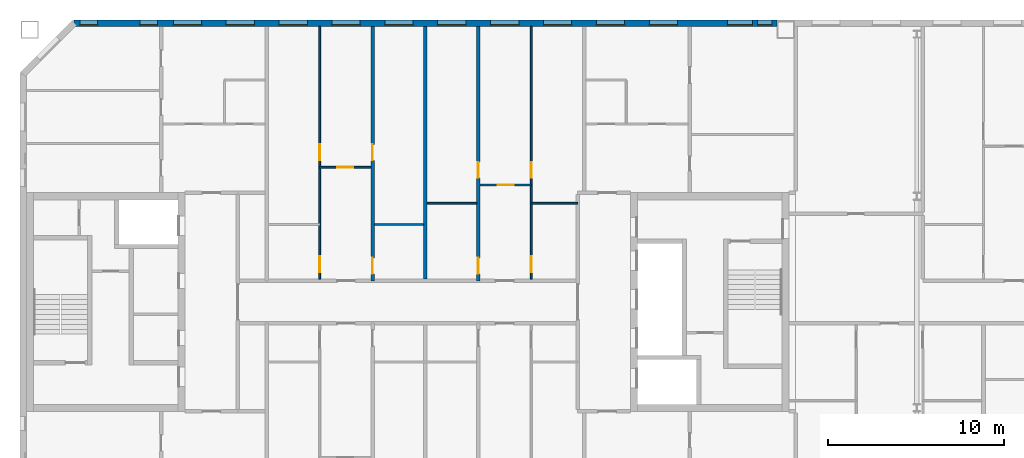
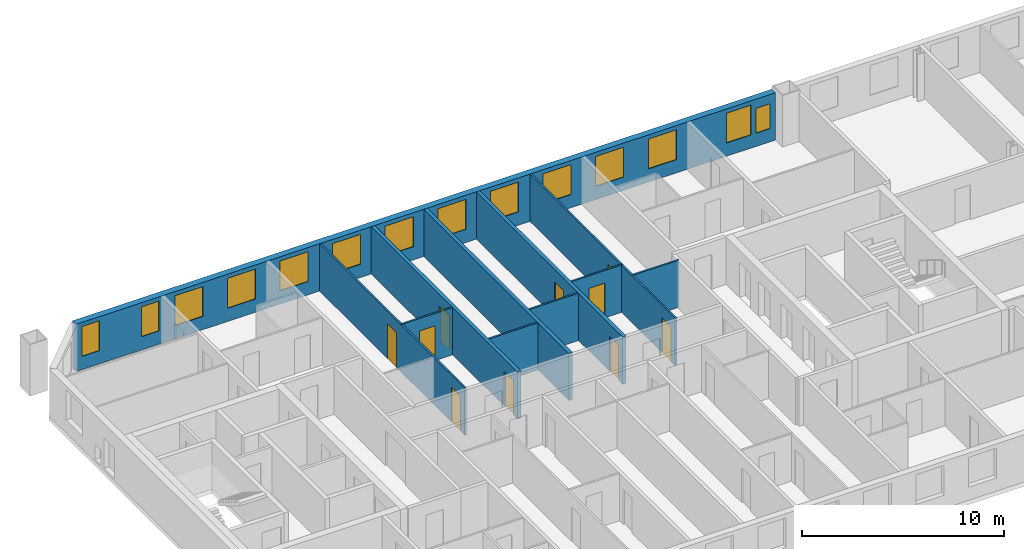
# One storey, part 7 of 19: 14 windows, 11 walls, 10 doors, 24 openings.
"""IFC4 building model written with IfcOpenShell, lengths in metres."""

import ifcopenshell
import ifcopenshell.guid

model = None  # the IFC model being written
_history = None  # IfcOwnerHistory: only IFC2X3 demands one
_inside = {}  # id of a spatial element -> (the spatial element, [elements in it])
_under = {}  # id of a project, library or spatial element -> (it, [spatial elements below it])
_declared = {}  # id of a project -> (the project, [libraries it declares])
_typed = {}  # id of a type object -> (the type object, [elements of that type])
_made_of = {}  # id of a material, layer set ... -> (it, [elements and type objects made of it])


def new_model(schema):
    """Start an empty IFC model of exactly this schema.

    Asked for "IFC4X3", IfcOpenShell would pick the latest addendum, in which some entities
    have other attributes; the version numbers below select the first issue.
    IFC2X3 requires an IfcOwnerHistory on every rooted entity: one is made here for all.
    """
    global model, _history
    if schema == "IFC4X3":
        model = ifcopenshell.file(schema_version=(4, 3, 0, 0))
    else:
        model = ifcopenshell.file(schema=schema)
    _inside.clear()
    _under.clear()
    _declared.clear()
    _typed.clear()
    _made_of.clear()
    _history = None
    if model.schema == "IFC2X3":
        org = make("IfcOrganization", Name="unknown")
        user = make(
            "IfcPersonAndOrganization",
            ThePerson=make("IfcPerson", FamilyName="unknown"),
            TheOrganization=org,
        )
        app = make(
            "IfcApplication",
            ApplicationDeveloper=org,
            Version="unknown",
            ApplicationFullName="unknown",
            ApplicationIdentifier="unknown",
        )
        _history = make(
            "IfcOwnerHistory",
            OwningUser=user,
            OwningApplication=app,
            ChangeAction="ADDED",
            CreationDate=0,
        )
    return model


def make(cls, **values):
    """One entity of the class cls with the attributes given. An attribute that is None is left unset."""
    return model.create_entity(
        cls, **{name: value for name, value in values.items() if value is not None}
    )


def rooted(cls, **values):
    """An entity with a GlobalId (a new one), such as an element, a storey or a relation."""
    return make(cls, GlobalId=ifcopenshell.guid.new(), OwnerHistory=_history, **values)


def si_unit(unit_type, name, prefix=None):
    """IfcSIUnit, for example si_unit("LENGTHUNIT", "METRE", prefix="MILLI")."""
    return make("IfcSIUnit", UnitType=unit_type, Prefix=prefix, Name=name)


def assignment(units):
    """IfcUnitAssignment: the units of a project."""
    return None if units is None else make("IfcUnitAssignment", Units=units)


def point(xyz):
    """IfcCartesianPoint."""
    return None if xyz is None else make("IfcCartesianPoint", Coordinates=xyz)


def direction(xyz):
    """IfcDirection."""
    return None if xyz is None else make("IfcDirection", DirectionRatios=xyz)


def frame(location, z_axis=None, x_axis=None):
    """IfcAxis2Placement3D, a coordinate frame: its origin and axes. An axis left out is left unset."""
    return make(
        "IfcAxis2Placement3D",
        Location=point(location),
        Axis=direction(z_axis),
        RefDirection=direction(x_axis),
    )


def frame_2d(location, x_axis=None):
    """IfcAxis2Placement2D, a coordinate frame in the plane: its origin and x axis."""
    return make(
        "IfcAxis2Placement2D", Location=point(location), RefDirection=direction(x_axis)
    )


def origin():
    """The frame at (0, 0, 0) with its axes left unset."""
    return frame((0.0, 0.0, 0.0))


def place(relative_to, where):
    """IfcLocalPlacement: puts the frame where relative to a parent placement (None: the world)."""
    return make(
        "IfcLocalPlacement", PlacementRelTo=relative_to, RelativePlacement=where
    )


def context(
    kind, dimensions, precision=None, world=None, true_north=None, identifier=None
):
    """IfcGeometricRepresentationContext, for example the 3D "Model" context."""
    return make(
        "IfcGeometricRepresentationContext",
        ContextIdentifier=identifier,
        ContextType=kind,
        CoordinateSpaceDimension=dimensions,
        Precision=precision,
        WorldCoordinateSystem=world,
        TrueNorth=true_north,
    )


def subcontext(parent, identifier, kind, view, scale=None):
    """IfcGeometricRepresentationSubContext, for example "Body" below "Model"."""
    return make(
        "IfcGeometricRepresentationSubContext",
        ContextIdentifier=identifier,
        ContextType=kind,
        ParentContext=parent,
        TargetScale=scale,
        TargetView=view,
    )


def project(units=None, contexts=None):
    """IfcProject with its units and contexts."""
    return rooted(
        "IfcProject",
        Name="project",
        RepresentationContexts=contexts,
        UnitsInContext=assignment(units),
    )


def spatial(cls, under=None, at=None, **own):
    """A site, building, storey or space (cls), placed at a placement, below another one or the project."""
    s = rooted(cls, ObjectPlacement=at, **own)
    if under is not None:
        _under.setdefault(under.id(), (under, []))[1].append(s)
    return s


def profile(cls, at=None, kind="AREA", **sizes):
    """A parametric profile (cls). Its sizes go by their IFC names, for example OverallWidth=200.0."""
    return make(cls, ProfileType=kind, Position=at, **sizes)


def rectangle(**sizes):
    """IfcRectangleProfileDef."""
    return profile("IfcRectangleProfileDef", **sizes)


def extrude(swept, where, along, depth):
    """IfcExtrudedAreaSolid: the profile swept, set in the frame where, extruded along a direction by depth."""
    return make(
        "IfcExtrudedAreaSolid",
        SweptArea=swept,
        Position=where,
        ExtrudedDirection=direction(along),
        Depth=depth,
    )


def shape(context_of_items, identifier, shape_type, items):
    """IfcShapeRepresentation: the items that make up one representation, for example the "Body"."""
    return make(
        "IfcShapeRepresentation",
        ContextOfItems=context_of_items,
        RepresentationIdentifier=identifier,
        RepresentationType=shape_type,
        Items=items,
    )


def material(Name=None, Category=None):
    """IfcMaterial."""
    return make("IfcMaterial", Name=Name, Category=Category)


def layer(
    of_material, thickness, ventilated=None, Name=None, Category=None, Priority=None
):
    """IfcMaterialLayer: one layer of a wall or slab, of a material (None: an air gap)."""
    return make(
        "IfcMaterialLayer",
        Material=of_material,
        LayerThickness=thickness,
        IsVentilated=ventilated,
        Name=Name,
        Category=Category,
        Priority=Priority,
    )


def layer_set(layers, Name=None):
    """IfcMaterialLayerSet."""
    return make("IfcMaterialLayerSet", MaterialLayers=layers, LayerSetName=Name)


def made_of(thing, what):
    """Note that an element or type object is made of a material, layer set ...; save() writes the relation."""
    if what is not None:
        _made_of.setdefault(what.id(), (what, []))[1].append(thing)
    return thing


def type_object(cls, material=None, **own):
    """A type object (cls), such as IfcWallType, which elements share."""
    return made_of(rooted(cls, **own), material)


def element(
    cls,
    number,
    at=None,
    inside=None,
    cuts=None,
    type_object=None,
    material=None,
    context=None,
    identifier="Body",
    shape_type=None,
    held_by="IfcProductDefinitionShape",
    body=None,
    shapes=None,
    **own,
):
    """One element of the class cls, such as IfcWall. Its Tag is "e" and its number.

    at: its placement. inside: the storey or other place that contains it. cuts: it is an
    opening in that element (IfcRelVoidsElement). A single representation is given by context,
    identifier, shape_type and body (its items); several are given by shapes. held_by: the class
    of the entity that holds the representations. save() writes the other relations.
    """
    e = rooted(cls, Tag="e%d" % number, ObjectPlacement=at, **own)
    if body is not None:
        shapes = [shape(context, identifier, shape_type, body)]
    if shapes is not None:
        e.Representation = make(held_by, Representations=shapes)
    if inside is not None:
        _inside.setdefault(inside.id(), (inside, []))[1].append(e)
    if cuts is not None:
        rooted(
            "IfcRelVoidsElement", RelatingBuildingElement=cuts, RelatedOpeningElement=e
        )
    if type_object is not None:
        _typed.setdefault(type_object.id(), (type_object, []))[1].append(e)
    return made_of(e, material)


def fill(opening, filler):
    """IfcRelFillsElement: the door or window that sits in an opening."""
    return rooted(
        "IfcRelFillsElement",
        RelatingOpeningElement=opening,
        RelatedBuildingElement=filler,
    )


def aggregate(whole, parts):
    """IfcRelAggregates: a whole, such as a stair, and the parts it consists of."""
    return rooted("IfcRelAggregates", RelatingObject=whole, RelatedObjects=parts)


def save(model, path):
    """Write the relations noted so far, then the file.

    IfcRelAggregates (storeys below a building ...), IfcRelContainedInSpatialStructure (elements
    in a storey), IfcRelDefinesByType, IfcRelAssociatesMaterial and IfcRelDeclares: one each for
    every whole, place, type object, material and project.
    """
    for whole, parts in _under.values():
        aggregate(whole, parts)
    for where, things in _inside.values():
        rooted(
            "IfcRelContainedInSpatialStructure",
            RelatedElements=things,
            RelatingStructure=where,
        )
    for kind, things in _typed.values():
        rooted("IfcRelDefinesByType", RelatedObjects=things, RelatingType=kind)
    for what, things in _made_of.values():
        rooted("IfcRelAssociatesMaterial", RelatedObjects=things, RelatingMaterial=what)
    for by, libraries in _declared.values():
        rooted("IfcRelDeclares", RelatingContext=by, RelatedDefinitions=libraries)
    model.write(path)


model = new_model("IFC4")

# Units and contexts
model_context = context("Model", 3, precision=1e-05, world=origin(), true_north=direction((0.0, 1.0)))
body_context = subcontext(model_context, "Body", "Model", "MODEL_VIEW")
ifc_project = project(units=[si_unit("LENGTHUNIT", "METRE"), si_unit("AREAUNIT", "SQUARE_METRE"), si_unit("VOLUMEUNIT", "CUBIC_METRE"), si_unit("PLANEANGLEUNIT", "RADIAN"), si_unit("MASSUNIT", "GRAM", prefix="KILO")], contexts=[model_context])

# Site, building, storey
site_placement = place(None, origin())
site = spatial("IfcSite", under=ifc_project, at=site_placement, CompositionType="ELEMENT")
building_placement = place(site_placement, origin())
building = spatial("IfcBuilding", under=site, at=building_placement, Name="Tuart Gate Housing", CompositionType="ELEMENT")
storey_placement = place(building_placement, frame((0.0, 0.0, 209.0)))
storey = spatial("IfcBuildingStorey", under=building, at=storey_placement, Name="L59", CompositionType="ELEMENT", Elevation=209.0)

# Wall, openings, windows
ifc_material_1 = material(Name="Brick", Category="masonry")
ifc_layer_1 = layer(ifc_material_1, 0.360107421875)
ifc_layer_set_1 = layer_set([ifc_layer_1], Name="Brick pier and spandrel wall 360")
wall_type_1 = type_object("IfcWallType", Name="Brick pier and spandrel wall 360", PredefinedType="STANDARD", material=ifc_layer_set_1)
wall_1_placement = place(storey_placement, frame((74.949951171875, 85.820068359375, 0.0), z_axis=(0.0, 0.0, 1.0), x_axis=(-1.0, 0.0, 0.0)))
wall_1 = element("IfcWall", 1, at=wall_1_placement, inside=storey, type_object=wall_type_1, Name="External wall BLK-N L59", PredefinedType="STANDARD", context=body_context, shape_type="SweptSolid", body=[
    extrude(rectangle(XDim=39.87548828125, YDim=0.360107421875, at=frame_2d((19.937744140625, 0.0))), origin(), (0.0, 0.0, 1.0), 2.85009765625),
])
opening_1_placement = place(wall_1_placement, frame((0.300048828125, 0.0, 0.800048828125)))
opening_1 = element("IfcOpeningElement", 2, at=opening_1_placement, cuts=wall_1, Name="Opening W1J", PredefinedType="OPENING", context=body_context, shape_type="SweptSolid", body=[
    extrude(rectangle(XDim=0.800048828125, YDim=1.5, at=frame_2d((0.39990234375, 0.75))), frame((0.0, 0.18994140625, 0.0), z_axis=(0.0, -1.0, 0.0), x_axis=(1.0, 0.0, 0.0)), (0.0, 0.0, 1.0), 0.380126953125),
])
opening_2_placement = place(wall_1_placement, frame((5.64990234375, 0.0, 0.800048828125)))
opening_2 = element("IfcOpeningElement", 3, at=opening_2_placement, cuts=wall_1, Name="Opening W1", PredefinedType="OPENING", context=body_context, shape_type="SweptSolid", body=[
    extrude(rectangle(XDim=1.60009765625, YDim=1.800048828125, at=frame_2d((0.800048828125, 0.89990234375))), frame((0.0, 0.18994140625, 0.0), z_axis=(0.0, -1.0, 0.0), x_axis=(1.0, 0.0, 0.0)), (0.0, 0.0, 1.0), 0.380126953125),
])
opening_3_placement = place(wall_1_placement, frame((8.64990234375, 0.0, 0.800048828125)))
opening_3 = element("IfcOpeningElement", 4, at=opening_3_placement, cuts=wall_1, Name="Opening W1", PredefinedType="OPENING", context=body_context, shape_type="SweptSolid", body=[
    extrude(rectangle(XDim=1.60009765625, YDim=1.800048828125, at=frame_2d((0.800048828125, 0.89990234375))), frame((0.0, 0.18994140625, 0.0), z_axis=(0.0, -1.0, 0.0), x_axis=(1.0, 0.0, 0.0)), (0.0, 0.0, 1.0), 0.380126953125),
])
opening_4_placement = place(wall_1_placement, frame((11.64990234375, 0.0, 0.800048828125)))
opening_4 = element("IfcOpeningElement", 5, at=opening_4_placement, cuts=wall_1, Name="Opening W1", PredefinedType="OPENING", context=body_context, shape_type="SweptSolid", body=[
    extrude(rectangle(XDim=1.60009765625, YDim=1.800048828125, at=frame_2d((0.800048828125, 0.89990234375))), frame((0.0, 0.18994140625, 0.0), z_axis=(0.0, -1.0, 0.0), x_axis=(1.0, 0.0, 0.0)), (0.0, 0.0, 1.0), 0.380126953125),
])
opening_5_placement = place(wall_1_placement, frame((14.64990234375, 0.0, 0.800048828125)))
opening_5 = element("IfcOpeningElement", 6, at=opening_5_placement, cuts=wall_1, Name="Opening W1", PredefinedType="OPENING", context=body_context, shape_type="SweptSolid", body=[
    extrude(rectangle(XDim=1.60009765625, YDim=1.800048828125, at=frame_2d((0.800048828125, 0.89990234375))), frame((0.0, 0.18994140625, 0.0), z_axis=(0.0, -1.0, 0.0), x_axis=(1.0, 0.0, 0.0)), (0.0, 0.0, 1.0), 0.380126953125),
])
opening_6_placement = place(wall_1_placement, frame((17.64990234375, 0.0, 0.800048828125)))
opening_6 = element("IfcOpeningElement", 7, at=opening_6_placement, cuts=wall_1, Name="Opening W1", PredefinedType="OPENING", context=body_context, shape_type="SweptSolid", body=[
    extrude(rectangle(XDim=1.60009765625, YDim=1.800048828125, at=frame_2d((0.800048828125, 0.89990234375))), frame((0.0, 0.18994140625, 0.0), z_axis=(0.0, -1.0, 0.0), x_axis=(1.0, 0.0, 0.0)), (0.0, 0.0, 1.0), 0.380126953125),
])
opening_7_placement = place(wall_1_placement, frame((20.64990234375, 0.0, 0.800048828125)))
opening_7 = element("IfcOpeningElement", 8, at=opening_7_placement, cuts=wall_1, Name="Opening W1", PredefinedType="OPENING", context=body_context, shape_type="SweptSolid", body=[
    extrude(rectangle(XDim=1.60009765625, YDim=1.800048828125, at=frame_2d((0.800048828125, 0.89990234375))), frame((0.0, 0.18994140625, 0.0), z_axis=(0.0, -1.0, 0.0), x_axis=(1.0, 0.0, 0.0)), (0.0, 0.0, 1.0), 0.380126953125),
])
opening_8_placement = place(wall_1_placement, frame((23.64990234375, 0.0, 0.800048828125)))
opening_8 = element("IfcOpeningElement", 9, at=opening_8_placement, cuts=wall_1, Name="Opening W1", PredefinedType="OPENING", context=body_context, shape_type="SweptSolid", body=[
    extrude(rectangle(XDim=1.60009765625, YDim=1.800048828125, at=frame_2d((0.800048828125, 0.89990234375))), frame((0.0, 0.18994140625, 0.0), z_axis=(0.0, -1.0, 0.0), x_axis=(1.0, 0.0, 0.0)), (0.0, 0.0, 1.0), 0.380126953125),
])
opening_9_placement = place(wall_1_placement, frame((26.64990234375, 0.0, 0.800048828125)))
opening_9 = element("IfcOpeningElement", 10, at=opening_9_placement, cuts=wall_1, Name="Opening W1", PredefinedType="OPENING", context=body_context, shape_type="SweptSolid", body=[
    extrude(rectangle(XDim=1.60009765625, YDim=1.800048828125, at=frame_2d((0.800048828125, 0.89990234375))), frame((0.0, 0.18994140625, 0.0), z_axis=(0.0, -1.0, 0.0), x_axis=(1.0, 0.0, 0.0)), (0.0, 0.0, 1.0), 0.380126953125),
])
opening_10_placement = place(wall_1_placement, frame((29.64990234375, 0.0, 0.800048828125)))
opening_10 = element("IfcOpeningElement", 11, at=opening_10_placement, cuts=wall_1, Name="Opening W1", PredefinedType="OPENING", context=body_context, shape_type="SweptSolid", body=[
    extrude(rectangle(XDim=1.60009765625, YDim=1.800048828125, at=frame_2d((0.800048828125, 0.89990234375))), frame((0.0, 0.18994140625, 0.0), z_axis=(0.0, -1.0, 0.0), x_axis=(1.0, 0.0, 0.0)), (0.0, 0.0, 1.0), 0.380126953125),
])
opening_11_placement = place(wall_1_placement, frame((32.64990234375, 0.0, 0.800048828125)))
opening_11 = element("IfcOpeningElement", 12, at=opening_11_placement, cuts=wall_1, Name="Opening W1", PredefinedType="OPENING", context=body_context, shape_type="SweptSolid", body=[
    extrude(rectangle(XDim=1.60009765625, YDim=1.800048828125, at=frame_2d((0.800048828125, 0.89990234375))), frame((0.0, 0.18994140625, 0.0), z_axis=(0.0, -1.0, 0.0), x_axis=(1.0, 0.0, 0.0)), (0.0, 0.0, 1.0), 0.380126953125),
])
opening_12_placement = place(wall_1_placement, frame((35.14990234375, 0.0, 0.800048828125)))
opening_12 = element("IfcOpeningElement", 13, at=opening_12_placement, cuts=wall_1, Name="Opening W1C", PredefinedType="OPENING", context=body_context, shape_type="SweptSolid", body=[
    extrude(rectangle(XDim=1.0, YDim=1.800048828125, at=frame_2d((0.5, 0.89990234375))), frame((0.0, 0.18994140625, 0.0), z_axis=(0.0, -1.0, 0.0), x_axis=(1.0, 0.0, 0.0)), (0.0, 0.0, 1.0), 0.380126953125),
])
opening_13_placement = place(wall_1_placement, frame((1.39990234375, 0.0, 0.800048828125)))
opening_13 = element("IfcOpeningElement", 14, at=opening_13_placement, cuts=wall_1, Name="Opening W1A", PredefinedType="OPENING", context=body_context, shape_type="SweptSolid", body=[
    extrude(rectangle(XDim=1.39990234375, YDim=1.800048828125, at=frame_2d((0.699951171875, 0.89990234375))), frame((0.0, 0.18994140625, 0.0), z_axis=(0.0, -1.0, 0.0), x_axis=(1.0, 0.0, 0.0)), (0.0, 0.0, 1.0), 0.380126953125),
])
opening_14_placement = place(wall_1_placement, frame((38.550048828125, 0.0, 0.800048828125)))
opening_14 = element("IfcOpeningElement", 15, at=opening_14_placement, cuts=wall_1, Name="Opening W1C", PredefinedType="OPENING", context=body_context, shape_type="SweptSolid", body=[
    extrude(rectangle(XDim=1.0, YDim=1.800048828125, at=frame_2d((0.5, 0.89990234375))), frame((0.0, 0.18994140625, 0.0), z_axis=(0.0, -1.0, 0.0), x_axis=(1.0, 0.0, 0.0)), (0.0, 0.0, 1.0), 0.380126953125),
])
ifc_material_2 = material(Name="Aluminium frame with clear glass", Category="aluminium")
window_type_1 = type_object("IfcWindowType", Name="Punched window 1000 x 1800", PartitioningType="SINGLE_PANEL", PredefinedType="WINDOW", material=ifc_material_2)
window_1_placement = place(opening_12_placement, origin())
window_1 = element("IfcWindow", 16, at=window_1_placement, inside=storey, type_object=window_type_1, Name="Window W1C", OverallHeight=1.800048828125, OverallWidth=1.0, PartitioningType="SINGLE_PANEL", PredefinedType="WINDOW", context=body_context, shape_type="SweptSolid", body=[
    extrude(rectangle(XDim=1.0, YDim=1.800048828125, at=frame_2d((0.5, 0.89990234375))), frame((0.0, 0.150146484375, 0.0), z_axis=(0.0, -1.0, 0.0), x_axis=(1.0, 0.0, 0.0)), (0.0, 0.0, 1.0), 0.06005859375),
])
fill(opening_12, window_1)
window_2_placement = place(opening_14_placement, origin())
window_2 = element("IfcWindow", 17, at=window_2_placement, inside=storey, type_object=window_type_1, Name="Window W1C", OverallHeight=1.800048828125, OverallWidth=1.0, PartitioningType="SINGLE_PANEL", PredefinedType="WINDOW", context=body_context, shape_type="SweptSolid", body=[
    extrude(rectangle(XDim=1.0, YDim=1.800048828125, at=frame_2d((0.5, 0.89990234375))), frame((0.0, 0.150146484375, 0.0), z_axis=(0.0, -1.0, 0.0), x_axis=(1.0, 0.0, 0.0)), (0.0, 0.0, 1.0), 0.06005859375),
])
fill(opening_14, window_2)
ifc_material_3 = material(Name="Aluminium frame with clear glass", Category="aluminium")
window_type_2 = type_object("IfcWindowType", Name="Punched window 1400 x 1800", PartitioningType="SINGLE_PANEL", PredefinedType="WINDOW", material=ifc_material_3)
window_3_placement = place(opening_13_placement, origin())
window_3 = element("IfcWindow", 18, at=window_3_placement, inside=storey, type_object=window_type_2, Name="Window W1A", OverallHeight=1.800048828125, OverallWidth=1.39990234375, PartitioningType="SINGLE_PANEL", PredefinedType="WINDOW", context=body_context, shape_type="SweptSolid", body=[
    extrude(rectangle(XDim=1.39990234375, YDim=1.800048828125, at=frame_2d((0.699951171875, 0.89990234375))), frame((0.0, 0.150146484375, 0.0), z_axis=(0.0, -1.0, 0.0), x_axis=(1.0, 0.0, 0.0)), (0.0, 0.0, 1.0), 0.06005859375),
])
fill(opening_13, window_3)
ifc_material_4 = material(Name="Aluminium frame with clear glass", Category="aluminium")
window_type_3 = type_object("IfcWindowType", Name="Punched window 1600 x 1800", PartitioningType="SINGLE_PANEL", PredefinedType="WINDOW", material=ifc_material_4)
window_4_placement = place(opening_2_placement, origin())
window_4 = element("IfcWindow", 19, at=window_4_placement, inside=storey, type_object=window_type_3, Name="Window W1", OverallHeight=1.800048828125, OverallWidth=1.60009765625, PartitioningType="SINGLE_PANEL", PredefinedType="WINDOW", context=body_context, shape_type="SweptSolid", body=[
    extrude(rectangle(XDim=1.60009765625, YDim=1.800048828125, at=frame_2d((0.800048828125, 0.89990234375))), frame((0.0, 0.150146484375, 0.0), z_axis=(0.0, -1.0, 0.0), x_axis=(1.0, 0.0, 0.0)), (0.0, 0.0, 1.0), 0.06005859375),
])
fill(opening_2, window_4)
window_5_placement = place(opening_3_placement, origin())
window_5 = element("IfcWindow", 20, at=window_5_placement, inside=storey, type_object=window_type_3, Name="Window W1", OverallHeight=1.800048828125, OverallWidth=1.60009765625, PartitioningType="SINGLE_PANEL", PredefinedType="WINDOW", context=body_context, shape_type="SweptSolid", body=[
    extrude(rectangle(XDim=1.60009765625, YDim=1.800048828125, at=frame_2d((0.800048828125, 0.89990234375))), frame((0.0, 0.150146484375, 0.0), z_axis=(0.0, -1.0, 0.0), x_axis=(1.0, 0.0, 0.0)), (0.0, 0.0, 1.0), 0.06005859375),
])
fill(opening_3, window_5)
window_6_placement = place(opening_4_placement, origin())
window_6 = element("IfcWindow", 21, at=window_6_placement, inside=storey, type_object=window_type_3, Name="Window W1", OverallHeight=1.800048828125, OverallWidth=1.60009765625, PartitioningType="SINGLE_PANEL", PredefinedType="WINDOW", context=body_context, shape_type="SweptSolid", body=[
    extrude(rectangle(XDim=1.60009765625, YDim=1.800048828125, at=frame_2d((0.800048828125, 0.89990234375))), frame((0.0, 0.150146484375, 0.0), z_axis=(0.0, -1.0, 0.0), x_axis=(1.0, 0.0, 0.0)), (0.0, 0.0, 1.0), 0.06005859375),
])
fill(opening_4, window_6)
window_7_placement = place(opening_5_placement, origin())
window_7 = element("IfcWindow", 22, at=window_7_placement, inside=storey, type_object=window_type_3, Name="Window W1", OverallHeight=1.800048828125, OverallWidth=1.60009765625, PartitioningType="SINGLE_PANEL", PredefinedType="WINDOW", context=body_context, shape_type="SweptSolid", body=[
    extrude(rectangle(XDim=1.60009765625, YDim=1.800048828125, at=frame_2d((0.800048828125, 0.89990234375))), frame((0.0, 0.150146484375, 0.0), z_axis=(0.0, -1.0, 0.0), x_axis=(1.0, 0.0, 0.0)), (0.0, 0.0, 1.0), 0.06005859375),
])
fill(opening_5, window_7)
window_8_placement = place(opening_6_placement, origin())
window_8 = element("IfcWindow", 23, at=window_8_placement, inside=storey, type_object=window_type_3, Name="Window W1", OverallHeight=1.800048828125, OverallWidth=1.60009765625, PartitioningType="SINGLE_PANEL", PredefinedType="WINDOW", context=body_context, shape_type="SweptSolid", body=[
    extrude(rectangle(XDim=1.60009765625, YDim=1.800048828125, at=frame_2d((0.800048828125, 0.89990234375))), frame((0.0, 0.150146484375, 0.0), z_axis=(0.0, -1.0, 0.0), x_axis=(1.0, 0.0, 0.0)), (0.0, 0.0, 1.0), 0.06005859375),
])
fill(opening_6, window_8)
window_9_placement = place(opening_7_placement, origin())
window_9 = element("IfcWindow", 24, at=window_9_placement, inside=storey, type_object=window_type_3, Name="Window W1", OverallHeight=1.800048828125, OverallWidth=1.60009765625, PartitioningType="SINGLE_PANEL", PredefinedType="WINDOW", context=body_context, shape_type="SweptSolid", body=[
    extrude(rectangle(XDim=1.60009765625, YDim=1.800048828125, at=frame_2d((0.800048828125, 0.89990234375))), frame((0.0, 0.150146484375, 0.0), z_axis=(0.0, -1.0, 0.0), x_axis=(1.0, 0.0, 0.0)), (0.0, 0.0, 1.0), 0.06005859375),
])
fill(opening_7, window_9)
window_10_placement = place(opening_8_placement, origin())
window_10 = element("IfcWindow", 25, at=window_10_placement, inside=storey, type_object=window_type_3, Name="Window W1", OverallHeight=1.800048828125, OverallWidth=1.60009765625, PartitioningType="SINGLE_PANEL", PredefinedType="WINDOW", context=body_context, shape_type="SweptSolid", body=[
    extrude(rectangle(XDim=1.60009765625, YDim=1.800048828125, at=frame_2d((0.800048828125, 0.89990234375))), frame((0.0, 0.150146484375, 0.0), z_axis=(0.0, -1.0, 0.0), x_axis=(1.0, 0.0, 0.0)), (0.0, 0.0, 1.0), 0.06005859375),
])
fill(opening_8, window_10)
window_11_placement = place(opening_9_placement, origin())
window_11 = element("IfcWindow", 26, at=window_11_placement, inside=storey, type_object=window_type_3, Name="Window W1", OverallHeight=1.800048828125, OverallWidth=1.60009765625, PartitioningType="SINGLE_PANEL", PredefinedType="WINDOW", context=body_context, shape_type="SweptSolid", body=[
    extrude(rectangle(XDim=1.60009765625, YDim=1.800048828125, at=frame_2d((0.800048828125, 0.89990234375))), frame((0.0, 0.150146484375, 0.0), z_axis=(0.0, -1.0, 0.0), x_axis=(1.0, 0.0, 0.0)), (0.0, 0.0, 1.0), 0.06005859375),
])
fill(opening_9, window_11)
window_12_placement = place(opening_10_placement, origin())
window_12 = element("IfcWindow", 27, at=window_12_placement, inside=storey, type_object=window_type_3, Name="Window W1", OverallHeight=1.800048828125, OverallWidth=1.60009765625, PartitioningType="SINGLE_PANEL", PredefinedType="WINDOW", context=body_context, shape_type="SweptSolid", body=[
    extrude(rectangle(XDim=1.60009765625, YDim=1.800048828125, at=frame_2d((0.800048828125, 0.89990234375))), frame((0.0, 0.150146484375, 0.0), z_axis=(0.0, -1.0, 0.0), x_axis=(1.0, 0.0, 0.0)), (0.0, 0.0, 1.0), 0.06005859375),
])
fill(opening_10, window_12)
window_13_placement = place(opening_11_placement, origin())
window_13 = element("IfcWindow", 28, at=window_13_placement, inside=storey, type_object=window_type_3, Name="Window W1", OverallHeight=1.800048828125, OverallWidth=1.60009765625, PartitioningType="SINGLE_PANEL", PredefinedType="WINDOW", context=body_context, shape_type="SweptSolid", body=[
    extrude(rectangle(XDim=1.60009765625, YDim=1.800048828125, at=frame_2d((0.800048828125, 0.89990234375))), frame((0.0, 0.150146484375, 0.0), z_axis=(0.0, -1.0, 0.0), x_axis=(1.0, 0.0, 0.0)), (0.0, 0.0, 1.0), 0.06005859375),
])
fill(opening_11, window_13)
ifc_material_5 = material(Name="Aluminium frame with clear glass", Category="aluminium")
window_type_4 = type_object("IfcWindowType", Name="Punched window 800 x 1500", PartitioningType="SINGLE_PANEL", PredefinedType="WINDOW", material=ifc_material_5)
window_14_placement = place(opening_1_placement, origin())
window_14 = element("IfcWindow", 29, at=window_14_placement, inside=storey, type_object=window_type_4, Name="Window W1J", OverallHeight=1.5, OverallWidth=0.800048828125, PartitioningType="SINGLE_PANEL", PredefinedType="WINDOW", context=body_context, shape_type="SweptSolid", body=[
    extrude(rectangle(XDim=0.800048828125, YDim=1.5, at=frame_2d((0.39990234375, 0.75))), frame((0.0, 0.150146484375, 0.0), z_axis=(0.0, -1.0, 0.0), x_axis=(1.0, 0.0, 0.0)), (0.0, 0.0, 1.0), 0.06005859375),
])
fill(opening_1, window_14)

# Walls
ifc_material_6 = material(Name="Gypsum board on steel studs", Category="steel")
ifc_layer_2 = layer(ifc_material_6, 0.10009765625)
ifc_layer_set_2 = layer_set([ifc_layer_2], Name="Partition 100")
wall_type_2 = type_object("IfcWallType", Name="Partition 100", PredefinedType="PARTITIONING", material=ifc_layer_set_2)
for number, where, z_axis, x_axis, name in (
    (30, (52.10009765625, 74.39990234375, 0.0), (0.0, 0.0, 1.0), (1.0, 0.0, 0.0), "Partition 100"),
    (31, (55.10009765625, 75.60009765625, 0.0), (0.0, 0.0, 1.0), (1.0, 0.0, 0.0), "Partition 100"),
):
    element("IfcWall", number, at=place(storey_placement, frame(where, z_axis=z_axis, x_axis=x_axis)), inside=storey, type_object=wall_type_2, Name=name, PredefinedType="PARTITIONING", context=body_context, shape_type="SweptSolid", body=[
        extrude(rectangle(XDim=2.7998046875, YDim=0.10009765625, at=frame_2d((1.39990234375, 0.0))), origin(), (0.0, 0.0, 1.0), 2.85009765625),
    ])
wall_2_placement = place(storey_placement, frame((61.0, 75.60009765625, 0.0), z_axis=(0.0, 0.0, 1.0), x_axis=(1.0, 0.0, 0.0)))
element("IfcWall", 32, at=wall_2_placement, inside=storey, type_object=wall_type_2, Name="Partition 100", PredefinedType="PARTITIONING", context=body_context, shape_type="SweptSolid", body=[
    extrude(rectangle(XDim=2.639892578125, YDim=0.10009765625, at=frame_2d((1.31982421875, 0.0))), origin(), (0.0, 0.0, 1.0), 2.85009765625),
])

# Wall, opening, door
wall_3_placement = place(storey_placement, frame((58.10009765625, 76.639892578125, 0.0), z_axis=(0.0, 0.0, 1.0), x_axis=(1.0, 0.0, 0.0)))
wall_3 = element("IfcWall", 33, at=wall_3_placement, inside=storey, type_object=wall_type_2, Name="Partition 100", PredefinedType="PARTITIONING", context=body_context, shape_type="SweptSolid", body=[
    extrude(rectangle(XDim=2.89990234375, YDim=0.10009765625, at=frame_2d((1.449951171875, 0.0))), origin(), (0.0, 0.0, 1.0), 2.85009765625),
])
opening_15_placement = place(wall_3_placement, frame((1.0, 0.0, 0.0)))
opening_15 = element("IfcOpeningElement", 34, at=opening_15_placement, cuts=wall_3, Name="Opening D2127", PredefinedType="OPENING", context=body_context, shape_type="SweptSolid", body=[
    extrude(rectangle(XDim=0.89990234375, YDim=2.10009765625, at=frame_2d((0.449951171875, 1.050048828125))), frame((0.0, 0.06005859375, 0.0), z_axis=(0.0, -1.0, 0.0), x_axis=(1.0, 0.0, 0.0)), (0.0, 0.0, 1.0), 0.1201171875),
])
ifc_material_7 = material(Name="Timber door leaf in steel frame", Category="steel")
door_type_1 = type_object("IfcDoorType", Name="Internal door 900", OperationType="SINGLE_SWING_LEFT", PredefinedType="DOOR", material=ifc_material_7)
door_1_placement = place(opening_15_placement, frame((0.89990234375, 0.0, 0.0), z_axis=(0.0, 0.0, 1.0), x_axis=(-1.0, 0.0, 0.0)))
door_1 = element("IfcDoor", 35, at=door_1_placement, inside=storey, type_object=door_type_1, Name="Internal door", OperationType="SINGLE_SWING_LEFT", OverallHeight=2.10009765625, OverallWidth=0.89990234375, PredefinedType="DOOR", context=body_context, shape_type="SweptSolid", body=[
    extrude(rectangle(XDim=0.89990234375, YDim=2.10009765625, at=frame_2d((0.449951171875, 1.050048828125))), frame((0.0, 0.025146484375, 0.0), z_axis=(0.0, -1.0, 0.0), x_axis=(1.0, 0.0, 0.0)), (0.0, 0.0, 1.0), 0.050048828125),
])
fill(opening_15, door_1)

wall_4_placement = place(storey_placement, frame((49.0, 77.639892578125, 0.0), z_axis=(0.0, 0.0, 1.0), x_axis=(1.0, 0.0, 0.0)))
wall_4 = element("IfcWall", 36, at=wall_4_placement, inside=storey, type_object=wall_type_2, Name="Partition 100", PredefinedType="PARTITIONING", context=body_context, shape_type="SweptSolid", body=[
    extrude(rectangle(XDim=2.89990234375, YDim=0.10009765625, at=frame_2d((1.449951171875, 0.0))), origin(), (0.0, 0.0, 1.0), 2.85009765625),
])
opening_16_placement = place(wall_4_placement, frame((1.0, 0.0, 0.0)))
opening_16 = element("IfcOpeningElement", 37, at=opening_16_placement, cuts=wall_4, Name="Opening D2126", PredefinedType="OPENING", context=body_context, shape_type="SweptSolid", body=[
    extrude(rectangle(XDim=0.89990234375, YDim=2.10009765625, at=frame_2d((0.449951171875, 1.050048828125))), frame((0.0, 0.06005859375, 0.0), z_axis=(0.0, -1.0, 0.0), x_axis=(1.0, 0.0, 0.0)), (0.0, 0.0, 1.0), 0.1201171875),
])
ifc_material_8 = material(Name="Timber door leaf in steel frame", Category="steel")
door_type_2 = type_object("IfcDoorType", Name="Internal door 900 RH", OperationType="SINGLE_SWING_RIGHT", PredefinedType="DOOR", material=ifc_material_8)
door_2_placement = place(opening_16_placement, frame((0.89990234375, 0.0, 0.0), z_axis=(0.0, 0.0, 1.0), x_axis=(-1.0, 0.0, 0.0)))
door_2 = element("IfcDoor", 38, at=door_2_placement, inside=storey, type_object=door_type_2, Name="Internal door", OperationType="SINGLE_SWING_RIGHT", OverallHeight=2.10009765625, OverallWidth=0.89990234375, PredefinedType="DOOR", context=body_context, shape_type="SweptSolid", body=[
    extrude(rectangle(XDim=0.89990234375, YDim=2.10009765625, at=frame_2d((0.449951171875, 1.050048828125))), frame((0.0, 0.025146484375, 0.0), z_axis=(0.0, -1.0, 0.0), x_axis=(1.0, 0.0, 0.0)), (0.0, 0.0, 1.0), 0.050048828125),
])
fill(opening_16, door_2)

# Wall, openings, doors
wall_5_placement = place(storey_placement, frame((49.0, 71.300048828125, 0.0), z_axis=(0.0, 0.0, 1.0), x_axis=(0.0, 1.0, 0.0)))
wall_5 = element("IfcWall", 39, at=wall_5_placement, inside=storey, type_object=wall_type_2, Name="Partition 100", PredefinedType="PARTITIONING", context=body_context, shape_type="SweptSolid", body=[
    extrude(rectangle(XDim=14.33984375, YDim=0.10009765625, at=frame_2d((7.169921875, 0.0))), origin(), (0.0, 0.0, 1.0), 2.85009765625),
])
opening_17_placement = place(wall_5_placement, frame((6.739990234375, 0.0, 0.0)))
opening_17 = element("IfcOpeningElement", 40, at=opening_17_placement, cuts=wall_5, Name="Opening D2119", PredefinedType="OPENING", context=body_context, shape_type="SweptSolid", body=[
    extrude(rectangle(XDim=0.89990234375, YDim=2.10009765625, at=frame_2d((0.449951171875, 1.050048828125))), frame((0.0, 0.06005859375, 0.0), z_axis=(0.0, -1.0, 0.0), x_axis=(1.0, 0.0, 0.0)), (0.0, 0.0, 1.0), 0.1201171875),
])
opening_18_placement = place(wall_5_placement, frame((0.39990234375, 0.0, 0.0)))
opening_18 = element("IfcOpeningElement", 41, at=opening_18_placement, cuts=wall_5, Name="Opening D2118", PredefinedType="OPENING", context=body_context, shape_type="SweptSolid", body=[
    extrude(rectangle(XDim=0.89990234375, YDim=2.10009765625, at=frame_2d((0.449951171875, 1.050048828125))), frame((0.0, 0.06005859375, 0.0), z_axis=(0.0, -1.0, 0.0), x_axis=(1.0, 0.0, 0.0)), (0.0, 0.0, 1.0), 0.1201171875),
])
ifc_material_9 = material(Name="Timber door leaf in steel frame", Category="steel")
door_type_3 = type_object("IfcDoorType", Name="Bathroom door 900", OperationType="SINGLE_SWING_LEFT", PredefinedType="DOOR", material=ifc_material_9)
door_3_placement = place(opening_18_placement, origin())
door_3 = element("IfcDoor", 42, at=door_3_placement, inside=storey, type_object=door_type_3, Name="Bathroom door", OperationType="SINGLE_SWING_LEFT", OverallHeight=2.10009765625, OverallWidth=0.89990234375, PredefinedType="DOOR", context=body_context, shape_type="SweptSolid", body=[
    extrude(rectangle(XDim=0.89990234375, YDim=2.10009765625, at=frame_2d((0.449951171875, 1.050048828125))), frame((0.0, 0.02490234375, 0.0), z_axis=(0.0, -1.0, 0.0), x_axis=(1.0, 0.0, 0.0)), (0.0, 0.0, 1.0), 0.050048828125),
])
fill(opening_18, door_3)
door_4_placement = place(opening_17_placement, origin())
door_4 = element("IfcDoor", 43, at=door_4_placement, inside=storey, type_object=door_type_1, Name="Internal door", OperationType="SINGLE_SWING_LEFT", OverallHeight=2.10009765625, OverallWidth=0.89990234375, PredefinedType="DOOR", context=body_context, shape_type="SweptSolid", body=[
    extrude(rectangle(XDim=0.89990234375, YDim=2.10009765625, at=frame_2d((0.449951171875, 1.050048828125))), frame((0.0, 0.02490234375, 0.0), z_axis=(0.0, -1.0, 0.0), x_axis=(1.0, 0.0, 0.0)), (0.0, 0.0, 1.0), 0.050048828125),
])
fill(opening_17, door_4)

wall_6_placement = place(storey_placement, frame((61.0, 71.300048828125, 0.0), z_axis=(0.0, 0.0, 1.0), x_axis=(0.0, 1.0, 0.0)))
wall_6 = element("IfcWall", 44, at=wall_6_placement, inside=storey, type_object=wall_type_2, Name="Partition 100", PredefinedType="PARTITIONING", context=body_context, shape_type="SweptSolid", body=[
    extrude(rectangle(XDim=14.33984375, YDim=0.10009765625, at=frame_2d((7.169921875, 0.0))), origin(), (0.0, 0.0, 1.0), 2.85009765625),
])
opening_19_placement = place(wall_6_placement, frame((5.739990234375, 0.0, 0.0)))
opening_19 = element("IfcOpeningElement", 45, at=opening_19_placement, cuts=wall_6, Name="Opening D2121", PredefinedType="OPENING", context=body_context, shape_type="SweptSolid", body=[
    extrude(rectangle(XDim=0.89990234375, YDim=2.10009765625, at=frame_2d((0.449951171875, 1.050048828125))), frame((0.0, 0.06005859375, 0.0), z_axis=(0.0, -1.0, 0.0), x_axis=(1.0, 0.0, 0.0)), (0.0, 0.0, 1.0), 0.1201171875),
])
opening_20_placement = place(wall_6_placement, frame((0.39990234375, 0.0, 0.0)))
opening_20 = element("IfcOpeningElement", 46, at=opening_20_placement, cuts=wall_6, Name="Opening D2120", PredefinedType="OPENING", context=body_context, shape_type="SweptSolid", body=[
    extrude(rectangle(XDim=0.89990234375, YDim=2.10009765625, at=frame_2d((0.449951171875, 1.050048828125))), frame((0.0, 0.06005859375, 0.0), z_axis=(0.0, -1.0, 0.0), x_axis=(1.0, 0.0, 0.0)), (0.0, 0.0, 1.0), 0.1201171875),
])
ifc_material_10 = material(Name="Timber door leaf in steel frame", Category="steel")
door_type_4 = type_object("IfcDoorType", Name="Bathroom door 900 RH", OperationType="SINGLE_SWING_RIGHT", PredefinedType="DOOR", material=ifc_material_10)
door_5_placement = place(opening_20_placement, frame((0.89990234375, 0.0, 0.0), z_axis=(0.0, 0.0, 1.0), x_axis=(-1.0, 0.0, 0.0)))
door_5 = element("IfcDoor", 47, at=door_5_placement, inside=storey, type_object=door_type_4, Name="Bathroom door", OperationType="SINGLE_SWING_RIGHT", OverallHeight=2.10009765625, OverallWidth=0.89990234375, PredefinedType="DOOR", context=body_context, shape_type="SweptSolid", body=[
    extrude(rectangle(XDim=0.89990234375, YDim=2.10009765625, at=frame_2d((0.449951171875, 1.050048828125))), frame((0.0, 0.025146484375, 0.0), z_axis=(0.0, -1.0, 0.0), x_axis=(1.0, 0.0, 0.0)), (0.0, 0.0, 1.0), 0.050048828125),
])
fill(opening_20, door_5)
door_6_placement = place(opening_19_placement, frame((0.89990234375, 0.0, 0.0), z_axis=(0.0, 0.0, 1.0), x_axis=(-1.0, 0.0, 0.0)))
door_6 = element("IfcDoor", 48, at=door_6_placement, inside=storey, type_object=door_type_2, Name="Internal door", OperationType="SINGLE_SWING_RIGHT", OverallHeight=2.10009765625, OverallWidth=0.89990234375, PredefinedType="DOOR", context=body_context, shape_type="SweptSolid", body=[
    extrude(rectangle(XDim=0.89990234375, YDim=2.10009765625, at=frame_2d((0.449951171875, 1.050048828125))), frame((0.0, 0.025146484375, 0.0), z_axis=(0.0, -1.0, 0.0), x_axis=(1.0, 0.0, 0.0)), (0.0, 0.0, 1.0), 0.050048828125),
])
fill(opening_19, door_6)

ifc_material_11 = material(Name="Concrete C40", Category="concrete")
ifc_layer_3 = layer(ifc_material_11, 0.199951171875)
ifc_layer_set_3 = layer_set([ifc_layer_3], Name="Party wall concrete C40 200")
wall_type_3 = type_object("IfcWallType", Name="Party wall concrete C40 200", PredefinedType="SOLIDWALL", material=ifc_layer_set_3)
wall_7_placement = place(storey_placement, frame((52.0, 71.199951171875, 0.0), z_axis=(0.0, 0.0, 1.0), x_axis=(0.0, 1.0, 0.0)))
wall_7 = element("IfcWall", 49, at=wall_7_placement, inside=storey, type_object=wall_type_3, Name="Party wall concrete C40 200", PredefinedType="SOLIDWALL", context=body_context, shape_type="SweptSolid", body=[
    extrude(rectangle(XDim=14.43994140625, YDim=0.199951171875, at=frame_2d((7.219970703125, 0.0))), origin(), (0.0, 0.0, 1.0), 2.85009765625),
])
opening_21_placement = place(wall_7_placement, frame((6.840087890625, 0.0, 0.0)))
opening_21 = element("IfcOpeningElement", 50, at=opening_21_placement, cuts=wall_7, Name="Opening D2123", PredefinedType="OPENING", context=body_context, shape_type="SweptSolid", body=[
    extrude(rectangle(XDim=0.89990234375, YDim=2.10009765625, at=frame_2d((0.449951171875, 1.050048828125))), frame((0.0, 0.10986328125, 0.0), z_axis=(0.0, -1.0, 0.0), x_axis=(1.0, 0.0, 0.0)), (0.0, 0.0, 1.0), 0.219970703125),
])
opening_22_placement = place(wall_7_placement, frame((0.39990234375, 0.0, 0.0)))
opening_22 = element("IfcOpeningElement", 51, at=opening_22_placement, cuts=wall_7, Name="Opening D2122", PredefinedType="OPENING", context=body_context, shape_type="SweptSolid", body=[
    extrude(rectangle(XDim=0.89990234375, YDim=2.10009765625, at=frame_2d((0.449951171875, 1.050048828125))), frame((0.0, 0.10986328125, 0.0), z_axis=(0.0, -1.0, 0.0), x_axis=(1.0, 0.0, 0.0)), (0.0, 0.0, 1.0), 0.219970703125),
])
door_7_placement = place(opening_22_placement, frame((0.89990234375, 0.0, 0.0), z_axis=(0.0, 0.0, 1.0), x_axis=(-1.0, 0.0, 0.0)))
door_7 = element("IfcDoor", 52, at=door_7_placement, inside=storey, type_object=door_type_4, Name="Bathroom door", OperationType="SINGLE_SWING_RIGHT", OverallHeight=2.10009765625, OverallWidth=0.89990234375, PredefinedType="DOOR", context=body_context, shape_type="SweptSolid", body=[
    extrude(rectangle(XDim=0.89990234375, YDim=2.10009765625, at=frame_2d((0.449951171875, 1.050048828125))), frame((0.0, 0.025146484375, 0.0), z_axis=(0.0, -1.0, 0.0), x_axis=(1.0, 0.0, 0.0)), (0.0, 0.0, 1.0), 0.050048828125),
])
fill(opening_22, door_7)
door_8_placement = place(opening_21_placement, frame((0.89990234375, 0.0, 0.0), z_axis=(0.0, 0.0, 1.0), x_axis=(-1.0, 0.0, 0.0)))
door_8 = element("IfcDoor", 53, at=door_8_placement, inside=storey, type_object=door_type_2, Name="Internal door", OperationType="SINGLE_SWING_RIGHT", OverallHeight=2.10009765625, OverallWidth=0.89990234375, PredefinedType="DOOR", context=body_context, shape_type="SweptSolid", body=[
    extrude(rectangle(XDim=0.89990234375, YDim=2.10009765625, at=frame_2d((0.449951171875, 1.050048828125))), frame((0.0, 0.025146484375, 0.0), z_axis=(0.0, -1.0, 0.0), x_axis=(1.0, 0.0, 0.0)), (0.0, 0.0, 1.0), 0.050048828125),
])
fill(opening_21, door_8)

wall_8_placement = place(storey_placement, frame((58.0, 71.199951171875, 0.0), z_axis=(0.0, 0.0, 1.0), x_axis=(0.0, 1.0, 0.0)))
wall_8 = element("IfcWall", 54, at=wall_8_placement, inside=storey, type_object=wall_type_3, Name="Party wall concrete C40 200", PredefinedType="SOLIDWALL", context=body_context, shape_type="SweptSolid", body=[
    extrude(rectangle(XDim=14.43994140625, YDim=0.199951171875, at=frame_2d((7.219970703125, 0.0))), origin(), (0.0, 0.0, 1.0), 2.85009765625),
])
opening_23_placement = place(wall_8_placement, frame((5.840087890625, 0.0, 0.0)))
opening_23 = element("IfcOpeningElement", 55, at=opening_23_placement, cuts=wall_8, Name="Opening D2125", PredefinedType="OPENING", context=body_context, shape_type="SweptSolid", body=[
    extrude(rectangle(XDim=0.89990234375, YDim=2.10009765625, at=frame_2d((0.449951171875, 1.050048828125))), frame((0.0, 0.10986328125, 0.0), z_axis=(0.0, -1.0, 0.0), x_axis=(1.0, 0.0, 0.0)), (0.0, 0.0, 1.0), 0.219970703125),
])
opening_24_placement = place(wall_8_placement, frame((0.39990234375, 0.0, 0.0)))
opening_24 = element("IfcOpeningElement", 56, at=opening_24_placement, cuts=wall_8, Name="Opening D2124", PredefinedType="OPENING", context=body_context, shape_type="SweptSolid", body=[
    extrude(rectangle(XDim=0.89990234375, YDim=2.10009765625, at=frame_2d((0.449951171875, 1.050048828125))), frame((0.0, 0.10986328125, 0.0), z_axis=(0.0, -1.0, 0.0), x_axis=(1.0, 0.0, 0.0)), (0.0, 0.0, 1.0), 0.219970703125),
])
door_9_placement = place(opening_24_placement, origin())
door_9 = element("IfcDoor", 57, at=door_9_placement, inside=storey, type_object=door_type_3, Name="Bathroom door", OperationType="SINGLE_SWING_LEFT", OverallHeight=2.10009765625, OverallWidth=0.89990234375, PredefinedType="DOOR", context=body_context, shape_type="SweptSolid", body=[
    extrude(rectangle(XDim=0.89990234375, YDim=2.10009765625, at=frame_2d((0.449951171875, 1.050048828125))), frame((0.0, 0.02490234375, 0.0), z_axis=(0.0, -1.0, 0.0), x_axis=(1.0, 0.0, 0.0)), (0.0, 0.0, 1.0), 0.050048828125),
])
fill(opening_24, door_9)
door_10_placement = place(opening_23_placement, origin())
door_10 = element("IfcDoor", 58, at=door_10_placement, inside=storey, type_object=door_type_1, Name="Internal door", OperationType="SINGLE_SWING_LEFT", OverallHeight=2.10009765625, OverallWidth=0.89990234375, PredefinedType="DOOR", context=body_context, shape_type="SweptSolid", body=[
    extrude(rectangle(XDim=0.89990234375, YDim=2.10009765625, at=frame_2d((0.449951171875, 1.050048828125))), frame((0.0, 0.02490234375, 0.0), z_axis=(0.0, -1.0, 0.0), x_axis=(1.0, 0.0, 0.0)), (0.0, 0.0, 1.0), 0.050048828125),
])
fill(opening_23, door_10)

# Wall
ifc_material_12 = material(Name="Concrete masonry 15 MPa", Category="masonry")
ifc_layer_4 = layer(ifc_material_12, 0.199951171875)
ifc_layer_set_4 = layer_set([ifc_layer_4], Name="Party wall masonry 200")
wall_type_4 = type_object("IfcWallType", Name="Party wall masonry 200", PredefinedType="PARTITIONING", material=ifc_layer_set_4)
wall_9_placement = place(storey_placement, frame((55.0, 71.300048828125, 0.0), z_axis=(0.0, 0.0, 1.0), x_axis=(0.0, 1.0, 0.0)))
element("IfcWall", 59, at=wall_9_placement, inside=storey, type_object=wall_type_4, Name="Party wall masonry 200", PredefinedType="PARTITIONING", context=body_context, shape_type="SweptSolid", body=[
    extrude(rectangle(XDim=14.33984375, YDim=0.199951171875, at=frame_2d((7.169921875, 0.0))), origin(), (0.0, 0.0, 1.0), 2.85009765625),
])

save(model, "model.ifc")
